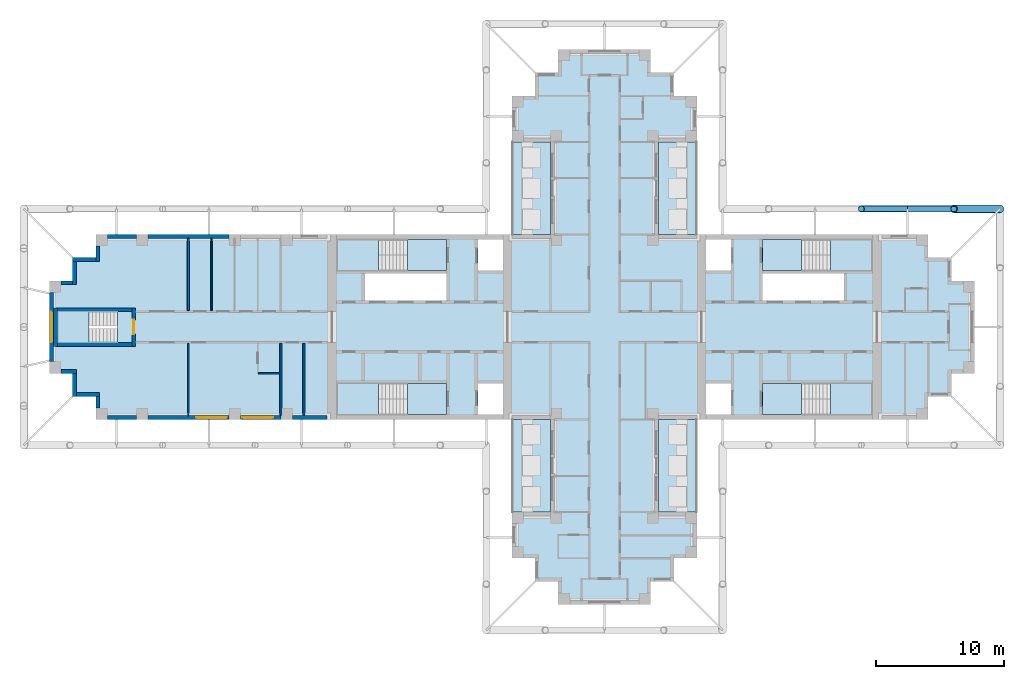
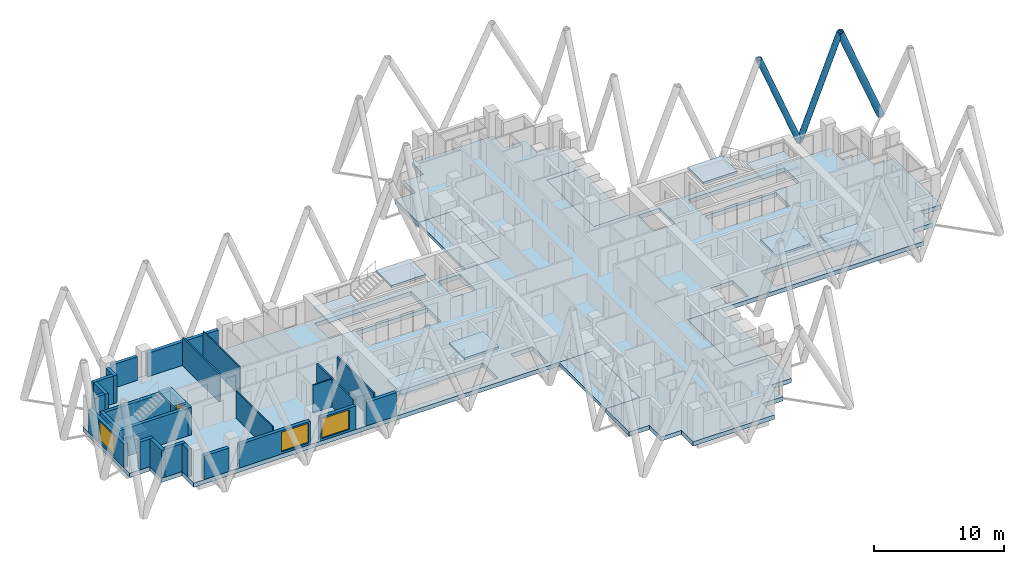
# One storey, part 2 of 12: 25 walls, 15 slabs, 3 members, 3 windows, 1 door, 4 openings, 5 elements without a shape of their own.
"""IFC4 building model written with IfcOpenShell, lengths in metres."""

from ifc_helpers import new_model, si_unit, direction, frame, frame_2d, origin, origin_2d, place, context, subcontext, project, spatial, polyline, rectangle, hollow_circle, outline, extrude, material, layer, layer_set, material_profile, profile_set, type_object, element, fill, aggregate, save


model = new_model("IFC4")

# Units and contexts
model_context = context("Model", 3, precision=1e-05, world=origin(), true_north=direction((0.0, 1.0)))
body_context = subcontext(model_context, "Body", "Model", "MODEL_VIEW")
ifc_project = project(units=[si_unit("LENGTHUNIT", "METRE"), si_unit("AREAUNIT", "SQUARE_METRE"), si_unit("VOLUMEUNIT", "CUBIC_METRE"), si_unit("PLANEANGLEUNIT", "RADIAN"), si_unit("MASSUNIT", "GRAM", prefix="KILO")], contexts=[model_context])

# Site, building, storey
site_placement = place(None, origin())
site = spatial("IfcSite", under=ifc_project, at=site_placement, CompositionType="ELEMENT")
building_placement = place(site_placement, origin())
building = spatial("IfcBuilding", under=site, at=building_placement, Name="Fustian Cross Tower", CompositionType="ELEMENT")
storey_placement = place(building_placement, frame((0.0, 0.0, 179.699951171875)))
storey = spatial("IfcBuildingStorey", under=building, at=storey_placement, Name="L56", CompositionType="ELEMENT", Elevation=179.699951171875)

# Members
ifc_material_1 = material(Name="Steel S355", Category="steel")
ifc_material_profile_1 = material_profile(ifc_material_1, hollow_circle(Radius=0.25390625, WallThickness=0.02001953125, at=origin_2d()), Name="CHS 508x20")
ifc_profile_set_1 = profile_set([ifc_material_profile_1], Name="Steel S355")
member_type_1 = type_object("IfcMemberType", Name="DIAGRID DIAGONAL CHS 508x20", PredefinedType="BRACE", material=ifc_profile_set_1)
for number, where, z_axis, x_axis, name in (
    (1, (23.60009765625, 9.199951171875, 0.0), (0.371377648723, 0.0, 0.928481901832), (0.0, 1.0, 0.0), "Diagrid diagonal E-N 02"),
    (2, (23.60009765625, 9.199951171875, 0.0), (-0.37139936132, 0.0, 0.928473216852), (0.0, -1.0, 0.0), "Diagrid diagonal E-N 03"),
):
    element("IfcMember", number, at=place(storey_placement, frame(where, z_axis=z_axis, x_axis=x_axis)), inside=storey, type_object=member_type_1, Name=name, PredefinedType="BRACE", context=body_context, shape_type="SweptSolid", body=[
        extrude(hollow_circle(Radius=0.25390625, WallThickness=0.02001953125, at=origin_2d()), origin(), (0.0, 0.0, 1.0), 9.693359375),
    ])
ifc_material_2 = material(Name="Steel S355", Category="steel")
ifc_material_profile_2 = material_profile(ifc_material_2, hollow_circle(Radius=0.3046875, WallThickness=0.02490234375, at=origin_2d()), Name="CHS 610x25")
ifc_profile_set_2 = profile_set([ifc_material_profile_2], Name="Steel S355")
member_type_2 = type_object("IfcMemberType", Name="DIAGRID DIAGONAL CHS 610x25", PredefinedType="BRACE", material=ifc_profile_set_2)
member_placement = place(storey_placement, frame((30.800048828125, 9.199951171875, 0.0), z_axis=(-0.37139936132, 0.0, 0.928473216852), x_axis=(0.0, -1.0, 0.0)))
element("IfcMember", 3, at=member_placement, inside=storey, type_object=member_type_2, Name="Diagrid diagonal E-N 01", PredefinedType="BRACE", context=body_context, shape_type="SweptSolid", body=[
    extrude(hollow_circle(Radius=0.3046875, WallThickness=0.02490234375, at=origin_2d()), origin(), (0.0, 0.0, 1.0), 9.693359375),
])

# Slabs
ifc_material_3 = material(Name="Concrete C40/50", Category="concrete")
ifc_layer_1 = layer(ifc_material_3, 0.300048828125)
ifc_layer_set_1 = layer_set([ifc_layer_1], Name="Concrete C40/50")
slab_type_1 = type_object("IfcSlabType", Name="BS1 BALCONY SLAB 300", PredefinedType="FLOOR", material=ifc_layer_set_1)
slab_1_placement = place(storey_placement, frame((0.0, 0.0, -0.300048828125)))
element("IfcSlab", 4, at=slab_1_placement, inside=storey, type_object=slab_type_1, Name="Balcony slab", PredefinedType="FLOOR", context=body_context, shape_type="SweptSolid", body=[
    extrude(outline(polyline([(4.199951171875, 7.199951171875), (7.199951171875, 7.199951171875), (7.199951171875, 14.39990234375), (4.199951171875, 14.39990234375), (4.199951171875, 7.199951171875)])), origin(), (0.0, 0.0, 1.0), 0.300048828125),
])
slab_2_placement = place(storey_placement, frame((0.0, 0.0, -0.300048828125)))
element("IfcSlab", 5, at=slab_2_placement, inside=storey, type_object=slab_type_1, Name="Balcony slab", PredefinedType="FLOOR", context=body_context, shape_type="SweptSolid", body=[
    extrude(outline(polyline([(-7.199951171875, 7.199951171875), (-4.199951171875, 7.199951171875), (-4.199951171875, 14.39990234375), (-7.199951171875, 14.39990234375), (-7.199951171875, 7.199951171875)])), origin(), (0.0, 0.0, 1.0), 0.300048828125),
])
slab_3_placement = place(storey_placement, frame((0.0, 0.0, -0.300048828125)))
element("IfcSlab", 6, at=slab_3_placement, inside=storey, type_object=slab_type_1, Name="Balcony slab", PredefinedType="FLOOR", context=body_context, shape_type="SweptSolid", body=[
    extrude(outline(polyline([(4.199951171875, -14.39990234375), (7.199951171875, -14.39990234375), (7.199951171875, -7.199951171875), (4.199951171875, -7.199951171875), (4.199951171875, -14.39990234375)])), origin(), (0.0, 0.0, 1.0), 0.300048828125),
])
slab_4_placement = place(storey_placement, frame((0.0, 0.0, -0.300048828125)))
element("IfcSlab", 7, at=slab_4_placement, inside=storey, type_object=slab_type_1, Name="Balcony slab", PredefinedType="FLOOR", context=body_context, shape_type="SweptSolid", body=[
    extrude(outline(polyline([(-7.199951171875, -14.39990234375), (-4.199951171875, -14.39990234375), (-4.199951171875, -7.199951171875), (-7.199951171875, -7.199951171875), (-7.199951171875, -14.39990234375)])), origin(), (0.0, 0.0, 1.0), 0.300048828125),
])
ifc_material_4 = material(Name="Concrete C40/50", Category="concrete")
ifc_layer_2 = layer(ifc_material_4, 0.39990234375)
ifc_layer_set_2 = layer_set([ifc_layer_2], Name="Concrete C40/50")
slab_type_2 = type_object("IfcSlabType", Name="FLAT SLAB 400", PredefinedType="FLOOR", material=ifc_layer_set_2)
slab_5_placement = place(storey_placement, frame((0.0, 0.0, -0.39990234375)))
element("IfcSlab", 8, at=slab_5_placement, inside=storey, type_object=slab_type_2, Name="FLOOR SLAB L56-1", PredefinedType="FLOOR", context=body_context, shape_type="SweptSolid", body=[
    extrude(outline(polyline([(-5.39990234375, -19.800048828125), (-5.39990234375, -18.0), (-7.199951171875, -18.0), (-7.199951171875, -14.39990234375), (-4.199951171875, -14.39990234375), (-4.199951171875, -7.199951171875), (-39.60009765625, -7.199951171875), (-39.60009765625, -5.39990234375), (-41.39990234375, -5.39990234375), (-41.39990234375, -3.60009765625), (-43.199951171875, -3.60009765625), (-43.199951171875, 3.60009765625), (-41.39990234375, 3.60009765625), (-41.39990234375, 5.39990234375), (-39.60009765625, 5.39990234375), (-39.60009765625, 7.199951171875), (-4.199951171875, 7.199951171875), (-4.199951171875, 14.39990234375), (-7.199951171875, 14.39990234375), (-7.199951171875, 18.0), (-5.39990234375, 18.0), (-5.39990234375, 19.800048828125), (-3.60009765625, 19.800048828125), (-3.60009765625, 21.60009765625), (3.60009765625, 21.60009765625), (3.60009765625, 19.800048828125), (5.39990234375, 19.800048828125), (5.39990234375, 18.0), (7.199951171875, 18.0), (7.199951171875, 14.39990234375), (4.199951171875, 14.39990234375), (4.199951171875, 7.199951171875), (25.199951171875, 7.199951171875), (25.199951171875, 5.39990234375), (27.0, 5.39990234375), (27.0, 3.60009765625), (28.800048828125, 3.60009765625), (28.800048828125, -3.60009765625), (27.0, -3.60009765625), (27.0, -5.39990234375), (25.199951171875, -5.39990234375), (25.199951171875, -7.199951171875), (4.199951171875, -7.199951171875), (4.199951171875, -14.39990234375), (7.199951171875, -14.39990234375), (7.199951171875, -18.0), (5.39990234375, -18.0), (5.39990234375, -19.800048828125), (3.60009765625, -19.800048828125), (3.60009765625, -21.60009765625), (-3.60009765625, -21.60009765625), (-3.60009765625, -19.800048828125), (-5.39990234375, -19.800048828125)]), holes=[polyline([(7.89990234375, 4.39990234375), (9.85009765625, 4.39990234375), (9.85009765625, 6.800048828125), (7.89990234375, 6.800048828125), (7.89990234375, 4.39990234375)]), polyline([(7.89990234375, -4.39990234375), (7.89990234375, -6.800048828125), (9.85009765625, -6.800048828125), (9.85009765625, -4.39990234375), (7.89990234375, -4.39990234375)]), polyline([(-7.89990234375, 6.800048828125), (-9.85009765625, 6.800048828125), (-9.85009765625, 4.39990234375), (-7.89990234375, 4.39990234375), (-7.89990234375, 6.800048828125)]), polyline([(-7.89990234375, -6.800048828125), (-7.89990234375, -4.39990234375), (-9.85009765625, -4.39990234375), (-9.85009765625, -6.800048828125), (-7.89990234375, -6.800048828125)]), polyline([(12.300048828125, 2.050048828125), (18.64990234375, 2.050048828125), (18.64990234375, 4.14990234375), (12.300048828125, 4.14990234375), (12.300048828125, 2.050048828125)]), polyline([(-18.64990234375, 4.14990234375), (-18.64990234375, 2.050048828125), (-12.300048828125, 2.050048828125), (-12.300048828125, 4.14990234375), (-18.64990234375, 4.14990234375)]), polyline([(20.85009765625, 6.699951171875), (12.300048828125, 6.699951171875), (12.300048828125, 4.39990234375), (20.85009765625, 4.39990234375), (20.85009765625, 6.699951171875)]), polyline([(20.85009765625, -6.699951171875), (20.85009765625, -4.39990234375), (12.300048828125, -4.39990234375), (12.300048828125, -6.699951171875), (20.85009765625, -6.699951171875)]), polyline([(-20.85009765625, 4.39990234375), (-12.300048828125, 4.39990234375), (-12.300048828125, 6.699951171875), (-20.85009765625, 6.699951171875), (-20.85009765625, 4.39990234375)]), polyline([(-20.85009765625, -4.39990234375), (-20.85009765625, -6.699951171875), (-12.300048828125, -6.699951171875), (-12.300048828125, -4.39990234375), (-20.85009765625, -4.39990234375)]), polyline([(-36.800048828125, 1.199951171875), (-42.60009765625, 1.199951171875), (-42.60009765625, -1.199951171875), (-36.800048828125, -1.199951171875), (-36.800048828125, 1.199951171875)])]), origin(), (0.0, 0.0, 1.0), 0.39990234375),
])

# Stair, slabs
ifc_material_5 = material(Name="Concrete C50/60", Category="concrete")
stair_type_1 = type_object("IfcStairType", Name="STAIR 1200 HALF TURN", PredefinedType="HALF_TURN_STAIR", material=ifc_material_5)
stair_1_placement = place(storey_placement, origin())
stair_1 = element("IfcStair", 9, at=stair_1_placement, inside=storey, type_object=stair_type_1, Name="Stair ST1", PredefinedType="HALF_TURN_STAIR")
ifc_material_6 = material(Name="Concrete C50/60", Category="concrete")
ifc_layer_3 = layer(ifc_material_6, 0.199951171875)
ifc_layer_set_3 = layer_set([ifc_layer_3], Name="Concrete C50/60")
slab_type_3 = type_object("IfcSlabType", Name="STAIR LANDING", PredefinedType="LANDING", material=ifc_layer_set_3)
slab_6_placement = place(storey_placement, frame((0.0, 0.0, 1.300048828125)))
slab_6 = element("IfcSlab", 10, at=slab_6_placement, type_object=slab_type_3, Name="ST1 landing 1", PredefinedType="LANDING", context=body_context, shape_type="SweptSolid", body=[
    extrude(outline(polyline([(17.590087890625, 4.39990234375), (20.85009765625, 4.39990234375), (20.85009765625, 6.800048828125), (17.590087890625, 6.800048828125), (17.590087890625, 4.39990234375)])), origin(), (0.0, 0.0, 1.0), 0.199951171875),
])
slab_7_placement = place(storey_placement, frame((0.0, 0.0, 2.800048828125)))
slab_7 = element("IfcSlab", 11, at=slab_7_placement, type_object=slab_type_3, Name="ST1 landing 2", PredefinedType="LANDING", context=body_context, shape_type="SweptSolid", body=[
    extrude(outline(polyline([(12.300048828125, 4.39990234375), (15.35009765625, 4.39990234375), (15.35009765625, 6.800048828125), (12.300048828125, 6.800048828125), (12.300048828125, 4.39990234375)])), origin(), (0.0, 0.0, 1.0), 0.199951171875),
])
aggregate(stair_1, [slab_6, slab_7])

stair_2_placement = place(storey_placement, origin())
stair_2 = element("IfcStair", 12, at=stair_2_placement, inside=storey, type_object=stair_type_1, Name="Stair ST2", PredefinedType="HALF_TURN_STAIR")
slab_8_placement = place(storey_placement, frame((0.0, 0.0, 1.300048828125)))
slab_8 = element("IfcSlab", 13, at=slab_8_placement, type_object=slab_type_3, Name="ST2 landing 1", PredefinedType="LANDING", context=body_context, shape_type="SweptSolid", body=[
    extrude(outline(polyline([(17.590087890625, -4.39990234375), (20.85009765625, -4.39990234375), (20.85009765625, -6.800048828125), (17.590087890625, -6.800048828125), (17.590087890625, -4.39990234375)])), origin(), (0.0, 0.0, 1.0), 0.199951171875),
])
slab_9_placement = place(storey_placement, frame((0.0, 0.0, 2.800048828125)))
slab_9 = element("IfcSlab", 14, at=slab_9_placement, type_object=slab_type_3, Name="ST2 landing 2", PredefinedType="LANDING", context=body_context, shape_type="SweptSolid", body=[
    extrude(outline(polyline([(12.300048828125, -4.39990234375), (15.35009765625, -4.39990234375), (15.35009765625, -6.800048828125), (12.300048828125, -6.800048828125), (12.300048828125, -4.39990234375)])), origin(), (0.0, 0.0, 1.0), 0.199951171875),
])
aggregate(stair_2, [slab_8, slab_9])

stair_3_placement = place(storey_placement, origin())
stair_3 = element("IfcStair", 15, at=stair_3_placement, inside=storey, type_object=stair_type_1, Name="Stair ST3", PredefinedType="HALF_TURN_STAIR")
slab_10_placement = place(storey_placement, frame((0.0, 0.0, 1.300048828125)))
slab_10 = element("IfcSlab", 16, at=slab_10_placement, type_object=slab_type_3, Name="ST3 landing 1", PredefinedType="LANDING", context=body_context, shape_type="SweptSolid", body=[
    extrude(outline(polyline([(-17.590087890625, 4.39990234375), (-20.85009765625, 4.39990234375), (-20.85009765625, 6.800048828125), (-17.590087890625, 6.800048828125), (-17.590087890625, 4.39990234375)])), origin(), (0.0, 0.0, 1.0), 0.199951171875),
])
slab_11_placement = place(storey_placement, frame((0.0, 0.0, 2.800048828125)))
slab_11 = element("IfcSlab", 17, at=slab_11_placement, type_object=slab_type_3, Name="ST3 landing 2", PredefinedType="LANDING", context=body_context, shape_type="SweptSolid", body=[
    extrude(outline(polyline([(-12.300048828125, 4.39990234375), (-15.35009765625, 4.39990234375), (-15.35009765625, 6.800048828125), (-12.300048828125, 6.800048828125), (-12.300048828125, 4.39990234375)])), origin(), (0.0, 0.0, 1.0), 0.199951171875),
])
aggregate(stair_3, [slab_10, slab_11])

stair_4_placement = place(storey_placement, origin())
stair_4 = element("IfcStair", 18, at=stair_4_placement, inside=storey, type_object=stair_type_1, Name="Stair ST4", PredefinedType="HALF_TURN_STAIR")
slab_12_placement = place(storey_placement, frame((0.0, 0.0, 1.300048828125)))
slab_12 = element("IfcSlab", 19, at=slab_12_placement, type_object=slab_type_3, Name="ST4 landing 1", PredefinedType="LANDING", context=body_context, shape_type="SweptSolid", body=[
    extrude(outline(polyline([(-17.590087890625, -4.39990234375), (-20.85009765625, -4.39990234375), (-20.85009765625, -6.800048828125), (-17.590087890625, -6.800048828125), (-17.590087890625, -4.39990234375)])), origin(), (0.0, 0.0, 1.0), 0.199951171875),
])
slab_13_placement = place(storey_placement, frame((0.0, 0.0, 2.800048828125)))
slab_13 = element("IfcSlab", 20, at=slab_13_placement, type_object=slab_type_3, Name="ST4 landing 2", PredefinedType="LANDING", context=body_context, shape_type="SweptSolid", body=[
    extrude(outline(polyline([(-12.300048828125, -4.39990234375), (-15.35009765625, -4.39990234375), (-15.35009765625, -6.800048828125), (-12.300048828125, -6.800048828125), (-12.300048828125, -4.39990234375)])), origin(), (0.0, 0.0, 1.0), 0.199951171875),
])
aggregate(stair_4, [slab_12, slab_13])

ifc_material_7 = material(Name="Concrete C50/60", Category="concrete")
stair_type_2 = type_object("IfcStairType", Name="STAIR 1100 HALF TURN", PredefinedType="HALF_TURN_STAIR", material=ifc_material_7)
stair_5_placement = place(storey_placement, origin())
stair_5 = element("IfcStair", 21, at=stair_5_placement, inside=storey, type_object=stair_type_2, Name="Stair ST9", PredefinedType="HALF_TURN_STAIR")
slab_14_placement = place(storey_placement, frame((0.0, 0.0, 1.300048828125)))
slab_14 = element("IfcSlab", 22, at=slab_14_placement, type_object=slab_type_3, Name="ST9 landing 1", PredefinedType="LANDING", context=body_context, shape_type="SweptSolid", body=[
    extrude(outline(polyline([(-40.139892578125, -1.199951171875), (-42.60009765625, -1.199951171875), (-42.60009765625, 1.199951171875), (-40.139892578125, 1.199951171875), (-40.139892578125, -1.199951171875)])), origin(), (0.0, 0.0, 1.0), 0.199951171875),
])
slab_15_placement = place(storey_placement, frame((0.0, 0.0, 2.800048828125)))
slab_15 = element("IfcSlab", 23, at=slab_15_placement, type_object=slab_type_3, Name="ST9 landing 2", PredefinedType="LANDING", context=body_context, shape_type="SweptSolid", body=[
    extrude(outline(polyline([(-36.800048828125, -1.199951171875), (-37.89990234375, -1.199951171875), (-37.89990234375, 1.199951171875), (-36.800048828125, 1.199951171875), (-36.800048828125, -1.199951171875)])), origin(), (0.0, 0.0, 1.0), 0.199951171875),
])
aggregate(stair_5, [slab_14, slab_15])

# Walls
ifc_material_8 = material(Name="Plasterboard on steel stud", Category="steel")
ifc_layer_4 = layer(ifc_material_8, 0.14990234375)
ifc_layer_set_4 = layer_set([ifc_layer_4], Name="Plasterboard on steel stud")
wall_type_1 = type_object("IfcWallType", Name="COMPARTMENT WALL 150 EI 60", PredefinedType="PARTITIONING", material=ifc_layer_set_4)
for number, where, z_axis, x_axis, name in (
    (24, (-32.39990234375, 1.27490234375, 0.0), (0.0, 0.0, 1.0), (0.0, 1.0, 0.0), "Partition 4"),
    (25, (-25.199951171875, -6.89990234375, 0.0), (0.0, 0.0, 1.0), (0.0, 1.0, 0.0), "Partition 10"),
    (26, (-23.39990234375, -6.89990234375, 0.0), (0.0, 0.0, 1.0), (0.0, 1.0, 0.0), "Partition 12"),
):
    element("IfcWall", number, at=place(storey_placement, frame(where, z_axis=z_axis, x_axis=x_axis)), inside=storey, type_object=wall_type_1, Name=name, PredefinedType="PARTITIONING", context=body_context, shape_type="SweptSolid", body=[
        extrude(rectangle(XDim=5.625, YDim=0.14990234375, at=frame_2d((2.8125, 0.0))), origin(), (0.0, 0.0, 1.0), 2.60009765625),
    ])
ifc_material_9 = material(Name="Plasterboard on steel stud", Category="steel")
ifc_layer_5 = layer(ifc_material_9, 0.10009765625)
ifc_layer_set_5 = layer_set([ifc_layer_5], Name="Plasterboard on steel stud")
wall_type_2 = type_object("IfcWallType", Name="PARTITION 100 STUD", PredefinedType="PARTITIONING", material=ifc_layer_set_5)
for number, where, z_axis, x_axis, name in (
    (27, (-32.39990234375, -6.89990234375, 0.0), (0.0, 0.0, 1.0), (0.0, 1.0, 0.0), "Partition 3"),
    (28, (-30.60009765625, 1.27490234375, 0.0), (0.0, 0.0, 1.0), (0.0, 1.0, 0.0), "Partition 5"),
):
    element("IfcWall", number, at=place(storey_placement, frame(where, z_axis=z_axis, x_axis=x_axis)), inside=storey, type_object=wall_type_2, Name=name, PredefinedType="PARTITIONING", context=body_context, shape_type="SweptSolid", body=[
        extrude(rectangle(XDim=5.625, YDim=0.10009765625, at=frame_2d((2.8125, 0.0))), origin(), (0.0, 0.0, 1.0), 2.60009765625),
    ])
wall_1_placement = place(storey_placement, frame((-26.949951171875, -3.60009765625, 0.0), z_axis=(0.0, 0.0, 1.0), x_axis=(1.0, 0.0, 0.0)))
element("IfcWall", 29, at=wall_1_placement, inside=storey, type_object=wall_type_2, Name="Partition 8", PredefinedType="PARTITIONING", context=body_context, shape_type="SweptSolid", body=[
    extrude(rectangle(XDim=1.675048828125, YDim=0.10009765625, at=frame_2d((0.83740234375, 0.0))), origin(), (0.0, 0.0, 1.0), 2.60009765625),
])

# Wall, opening, door
ifc_material_10 = material(Name="Concrete C50/60", Category="concrete")
ifc_layer_6 = layer(ifc_material_10, 0.300048828125)
ifc_layer_set_6 = layer_set([ifc_layer_6], Name="Concrete C50/60")
wall_type_3 = type_object("IfcWallType", Name="STAIR ENCLOSURE WALL 300 C50/60", PredefinedType="SHEAR", material=ifc_layer_set_6)
wall_2_placement = place(storey_placement, frame((-36.64990234375, -1.5, 0.0), z_axis=(0.0, 0.0, 1.0), x_axis=(0.0, 1.0, 0.0)))
wall_2 = element("IfcWall", 30, at=wall_2_placement, inside=storey, type_object=wall_type_3, Name="Stair enclosure wall", PredefinedType="SHEAR", context=body_context, shape_type="SweptSolid", body=[
    extrude(rectangle(XDim=3.0, YDim=0.300048828125, at=frame_2d((1.5, 0.0))), origin(), (0.0, 0.0, 1.0), 2.60009765625),
])
opening_1_placement = place(wall_2_placement, frame((0.949951171875, 0.0, 0.0)))
opening_1 = element("IfcOpeningElement", 31, at=opening_1_placement, cuts=wall_2, Name="Opening CD-23-35", PredefinedType="OPENING", context=body_context, shape_type="SweptSolid", body=[
    extrude(rectangle(XDim=1.10009765625, YDim=2.10009765625, at=frame_2d((0.550048828125, 1.050048828125))), frame((0.0, 0.159912109375, 0.0), z_axis=(0.0, -1.0, 0.0), x_axis=(1.0, 0.0, 0.0)), (0.0, 0.0, 1.0), 0.320068359375),
])
ifc_material_11 = material(Name="Steel", Category="steel")
door_type = type_object("IfcDoorType", Name="FIRE DOOR FD60S 1100X2100", OperationType="SINGLE_SWING_LEFT", PredefinedType="DOOR", material=ifc_material_11)
door_placement = place(opening_1_placement, origin())
door = element("IfcDoor", 32, at=door_placement, inside=storey, type_object=door_type, Name="Core door CD-23-35", OperationType="SINGLE_SWING_LEFT", OverallHeight=2.10009765625, OverallWidth=1.10009765625, PredefinedType="DOOR", context=body_context, shape_type="SweptSolid", body=[
    extrude(rectangle(XDim=1.10009765625, YDim=2.10009765625, at=frame_2d((0.550048828125, 1.050048828125))), frame((0.0, 0.02490234375, 0.0), z_axis=(0.0, -1.0, 0.0), x_axis=(1.0, 0.0, 0.0)), (0.0, 0.0, 1.0), 0.050048828125),
])
fill(opening_1, door)

# Walls
wall_3_placement = place(storey_placement, frame((-42.75, -1.5, 0.0), z_axis=(0.0, 0.0, 1.0), x_axis=(0.0, 1.0, 0.0)))
element("IfcWall", 33, at=wall_3_placement, inside=storey, type_object=wall_type_3, Name="Stair enclosure wall", PredefinedType="SHEAR", context=body_context, shape_type="SweptSolid", body=[
    extrude(rectangle(XDim=3.0, YDim=0.300048828125, at=frame_2d((1.5, 0.0))), origin(), (0.0, 0.0, 1.0), 2.60009765625),
])
for number, where, z_axis, x_axis, name in (
    (34, (-36.800048828125, -1.35009765625, 0.0), (0.0, 0.0, 1.0), (-1.0, 0.0, 0.0), "Stair enclosure wall"),
    (35, (-36.800048828125, 1.35009765625, 0.0), (0.0, 0.0, 1.0), (-1.0, 0.0, 0.0), "Stair enclosure wall"),
):
    element("IfcWall", number, at=place(storey_placement, frame(where, z_axis=z_axis, x_axis=x_axis)), inside=storey, type_object=wall_type_3, Name=name, PredefinedType="SHEAR", context=body_context, shape_type="SweptSolid", body=[
        extrude(rectangle(XDim=5.800048828125, YDim=0.300048828125, at=frame_2d((2.89990234375, 0.0))), origin(), (0.0, 0.0, 1.0), 2.60009765625),
    ])
ifc_material_12 = material(Name="Dark aluminium cladding on insulated backing wall", Category="aluminium")
ifc_layer_7 = layer(ifc_material_12, 0.300048828125)
ifc_layer_set_7 = layer_set([ifc_layer_7], Name="Dark aluminium cladding on insulated backing wall")
wall_type_4 = type_object("IfcWallType", Name="XW1 EXTERNAL WALL 300", PredefinedType="SOLIDWALL", material=ifc_layer_set_7)
wall_4_placement = place(storey_placement, frame((-29.25, 7.050048828125, 0.0), z_axis=(0.0, 0.0, 1.0), x_axis=(-1.0, 0.0, 0.0)))
element("IfcWall", 36, at=wall_4_placement, inside=storey, type_object=wall_type_4, Name="External wall", PredefinedType="SOLIDWALL", context=body_context, shape_type="SweptSolid", body=[
    extrude(rectangle(XDim=6.300048828125, YDim=0.300048828125, at=frame_2d((3.14990234375, 0.0))), origin(), (0.0, 0.0, 1.0), 2.199951171875),
])
wall_5_placement = place(storey_placement, frame((-36.449951171875, 7.050048828125, 0.0), z_axis=(0.0, 0.0, 1.0), x_axis=(-1.0, 0.0, 0.0)))
element("IfcWall", 37, at=wall_5_placement, inside=storey, type_object=wall_type_4, Name="External wall", PredefinedType="SOLIDWALL", context=body_context, shape_type="SweptSolid", body=[
    extrude(rectangle(XDim=2.25, YDim=0.300048828125, at=frame_2d((1.125, 0.0))), origin(), (0.0, 0.0, 1.0), 2.199951171875),
])
wall_6_placement = place(storey_placement, frame((-39.449951171875, 6.300048828125, 0.0), z_axis=(0.0, 0.0, 1.0), x_axis=(0.0, -1.0, 0.0)))
element("IfcWall", 38, at=wall_6_placement, inside=storey, type_object=wall_type_4, Name="External wall", PredefinedType="SOLIDWALL", context=body_context, shape_type="SweptSolid", body=[
    extrude(rectangle(XDim=1.199951171875, YDim=0.300048828125, at=frame_2d((0.60009765625, 0.0))), origin(), (0.0, 0.0, 1.0), 2.60009765625),
])
wall_7_placement = place(storey_placement, frame((-39.60009765625, 5.25, 0.0), z_axis=(0.0, 0.0, 1.0), x_axis=(-1.0, 0.0, 0.0)))
element("IfcWall", 39, at=wall_7_placement, inside=storey, type_object=wall_type_4, Name="External wall", PredefinedType="SOLIDWALL", context=body_context, shape_type="SweptSolid", body=[
    extrude(rectangle(XDim=1.7998046875, YDim=0.300048828125, at=frame_2d((0.89990234375, 0.0))), origin(), (0.0, 0.0, 1.0), 2.60009765625),
])
wall_8_placement = place(storey_placement, frame((-41.25, 5.10009765625, 0.0), z_axis=(0.0, 0.0, 1.0), x_axis=(0.0, -1.0, 0.0)))
element("IfcWall", 40, at=wall_8_placement, inside=storey, type_object=wall_type_4, Name="External wall", PredefinedType="SOLIDWALL", context=body_context, shape_type="SweptSolid", body=[
    extrude(rectangle(XDim=1.800048828125, YDim=0.300048828125, at=frame_2d((0.89990234375, 0.0))), origin(), (0.0, 0.0, 1.0), 2.60009765625),
])
wall_9_placement = place(storey_placement, frame((-41.39990234375, 3.449951171875, 0.0), z_axis=(0.0, 0.0, 1.0), x_axis=(-1.0, 0.0, 0.0)))
element("IfcWall", 41, at=wall_9_placement, inside=storey, type_object=wall_type_4, Name="External wall", PredefinedType="SOLIDWALL", context=body_context, shape_type="SweptSolid", body=[
    extrude(rectangle(XDim=0.900146484375, YDim=0.300048828125, at=frame_2d((0.4501953125, 0.0))), origin(), (0.0, 0.0, 1.0), 2.60009765625),
])

# Wall, opening, window
wall_10_placement = place(storey_placement, frame((-43.050048828125, 2.699951171875, 0.0), z_axis=(0.0, 0.0, 1.0), x_axis=(0.0, -1.0, 0.0)))
wall_10 = element("IfcWall", 42, at=wall_10_placement, inside=storey, type_object=wall_type_4, Name="External wall", PredefinedType="SOLIDWALL", context=body_context, shape_type="SweptSolid", body=[
    extrude(rectangle(XDim=5.39990234375, YDim=0.300048828125, at=frame_2d((2.699951171875, 0.0))), origin(), (0.0, 0.0, 1.0), 2.199951171875),
])
opening_2_placement = place(wall_10_placement, frame((1.5, 0.0, 0.199951171875)))
opening_2 = element("IfcOpeningElement", 43, at=opening_2_placement, cuts=wall_10, Name="Opening WN1", PredefinedType="OPENING", context=body_context, shape_type="SweptSolid", body=[
    extrude(rectangle(XDim=2.39990234375, YDim=1.85009765625, at=frame_2d((1.199951171875, 0.925048828125))), frame((0.0, 0.159912109375, 0.0), z_axis=(0.0, -1.0, 0.0), x_axis=(1.0, 0.0, 0.0)), (0.0, 0.0, 1.0), 0.320068359375),
])
ifc_material_13 = material(Name="Dark anodised aluminium and double glazing", Category="aluminium")
window_type = type_object("IfcWindowType", Name="WN1 WINDOW 2400X1850", PartitioningType="SINGLE_PANEL", PredefinedType="WINDOW", material=ifc_material_13)
window_1_placement = place(opening_2_placement, origin())
window_1 = element("IfcWindow", 44, at=window_1_placement, inside=storey, type_object=window_type, Name="Window", OverallHeight=1.85009765625, OverallWidth=2.39990234375, PartitioningType="SINGLE_PANEL", PredefinedType="WINDOW", context=body_context, shape_type="SweptSolid", body=[
    extrude(rectangle(XDim=2.39990234375, YDim=1.85009765625, at=frame_2d((1.199951171875, 0.925048828125))), frame((0.0, 0.030029296875, 0.0), z_axis=(0.0, -1.0, 0.0), x_axis=(1.0, 0.0, 0.0)), (0.0, 0.0, 1.0), 0.06005859375),
])
fill(opening_2, window_1)

# Walls
wall_11_placement = place(storey_placement, frame((-42.300048828125, -3.449951171875, 0.0), z_axis=(0.0, 0.0, 1.0), x_axis=(1.0, 0.0, 0.0)))
element("IfcWall", 45, at=wall_11_placement, inside=storey, type_object=wall_type_4, Name="External wall", PredefinedType="SOLIDWALL", context=body_context, shape_type="SweptSolid", body=[
    extrude(rectangle(XDim=1.199951171875, YDim=0.300048828125, at=frame_2d((0.60009765625, 0.0))), origin(), (0.0, 0.0, 1.0), 2.60009765625),
])
wall_12_placement = place(storey_placement, frame((-41.25, -3.60009765625, 0.0), z_axis=(0.0, 0.0, 1.0), x_axis=(0.0, -1.0, 0.0)))
element("IfcWall", 46, at=wall_12_placement, inside=storey, type_object=wall_type_4, Name="External wall", PredefinedType="SOLIDWALL", context=body_context, shape_type="SweptSolid", body=[
    extrude(rectangle(XDim=1.7998046875, YDim=0.300048828125, at=frame_2d((0.89990234375, 0.0))), origin(), (0.0, 0.0, 1.0), 2.60009765625),
])
wall_13_placement = place(storey_placement, frame((-41.10009765625, -5.25, 0.0), z_axis=(0.0, 0.0, 1.0), x_axis=(1.0, 0.0, 0.0)))
element("IfcWall", 47, at=wall_13_placement, inside=storey, type_object=wall_type_4, Name="External wall", PredefinedType="SOLIDWALL", context=body_context, shape_type="SweptSolid", body=[
    extrude(rectangle(XDim=1.800048828125, YDim=0.300048828125, at=frame_2d((0.89990234375, 0.0))), origin(), (0.0, 0.0, 1.0), 2.60009765625),
])
wall_14_placement = place(storey_placement, frame((-39.449951171875, -5.39990234375, 0.0), z_axis=(0.0, 0.0, 1.0), x_axis=(0.0, -1.0, 0.0)))
element("IfcWall", 48, at=wall_14_placement, inside=storey, type_object=wall_type_4, Name="External wall", PredefinedType="SOLIDWALL", context=body_context, shape_type="SweptSolid", body=[
    extrude(rectangle(XDim=0.900146484375, YDim=0.300048828125, at=frame_2d((0.4501953125, 0.0))), origin(), (0.0, 0.0, 1.0), 2.60009765625),
])
wall_15_placement = place(storey_placement, frame((-38.699951171875, -7.050048828125, 0.0), z_axis=(0.0, 0.0, 1.0), x_axis=(1.0, 0.0, 0.0)))
element("IfcWall", 49, at=wall_15_placement, inside=storey, type_object=wall_type_4, Name="External wall", PredefinedType="SOLIDWALL", context=body_context, shape_type="SweptSolid", body=[
    extrude(rectangle(XDim=2.25, YDim=0.300048828125, at=frame_2d((1.125, 0.0))), origin(), (0.0, 0.0, 1.0), 2.199951171875),
])

# Wall, opening, window
wall_16_placement = place(storey_placement, frame((-35.550048828125, -7.050048828125, 0.0), z_axis=(0.0, 0.0, 1.0), x_axis=(1.0, 0.0, 0.0)))
wall_16 = element("IfcWall", 50, at=wall_16_placement, inside=storey, type_object=wall_type_4, Name="External wall", PredefinedType="SOLIDWALL", context=body_context, shape_type="SweptSolid", body=[
    extrude(rectangle(XDim=6.300048828125, YDim=0.300048828125, at=frame_2d((3.14990234375, 0.0))), origin(), (0.0, 0.0, 1.0), 2.199951171875),
])
opening_3_placement = place(wall_16_placement, frame((3.75, 0.0, 0.199951171875)))
opening_3 = element("IfcOpeningElement", 51, at=opening_3_placement, cuts=wall_16, Name="Opening WN1", PredefinedType="OPENING", context=body_context, shape_type="SweptSolid", body=[
    extrude(rectangle(XDim=2.39990234375, YDim=1.85009765625, at=frame_2d((1.199951171875, 0.925048828125))), frame((0.0, 0.159912109375, 0.0), z_axis=(0.0, -1.0, 0.0), x_axis=(1.0, 0.0, 0.0)), (0.0, 0.0, 1.0), 0.320068359375),
])
window_2_placement = place(opening_3_placement, origin())
window_2 = element("IfcWindow", 52, at=window_2_placement, inside=storey, type_object=window_type, Name="Window", OverallHeight=1.85009765625, OverallWidth=2.39990234375, PartitioningType="SINGLE_PANEL", PredefinedType="WINDOW", context=body_context, shape_type="SweptSolid", body=[
    extrude(rectangle(XDim=2.39990234375, YDim=1.85009765625, at=frame_2d((1.199951171875, 0.925048828125))), frame((0.0, 0.030029296875, 0.0), z_axis=(0.0, -1.0, 0.0), x_axis=(1.0, 0.0, 0.0)), (0.0, 0.0, 1.0), 0.06005859375),
])
fill(opening_3, window_2)

wall_17_placement = place(storey_placement, frame((-28.35009765625, -7.050048828125, 0.0), z_axis=(0.0, 0.0, 1.0), x_axis=(1.0, 0.0, 0.0)))
wall_17 = element("IfcWall", 53, at=wall_17_placement, inside=storey, type_object=wall_type_4, Name="External wall", PredefinedType="SOLIDWALL", context=body_context, shape_type="SweptSolid", body=[
    extrude(rectangle(XDim=3.150146484375, YDim=0.300048828125, at=frame_2d((1.5751953125, 0.0))), origin(), (0.0, 0.0, 1.0), 2.199951171875),
])
opening_4_placement = place(wall_17_placement, frame((0.14990234375, 0.0, 0.199951171875)))
opening_4 = element("IfcOpeningElement", 54, at=opening_4_placement, cuts=wall_17, Name="Opening WN1", PredefinedType="OPENING", context=body_context, shape_type="SweptSolid", body=[
    extrude(rectangle(XDim=2.39990234375, YDim=1.85009765625, at=frame_2d((1.199951171875, 0.925048828125))), frame((0.0, 0.159912109375, 0.0), z_axis=(0.0, -1.0, 0.0), x_axis=(1.0, 0.0, 0.0)), (0.0, 0.0, 1.0), 0.320068359375),
])
window_3_placement = place(opening_4_placement, origin())
window_3 = element("IfcWindow", 55, at=window_3_placement, inside=storey, type_object=window_type, Name="Window", OverallHeight=1.85009765625, OverallWidth=2.39990234375, PartitioningType="SINGLE_PANEL", PredefinedType="WINDOW", context=body_context, shape_type="SweptSolid", body=[
    extrude(rectangle(XDim=2.39990234375, YDim=1.85009765625, at=frame_2d((1.199951171875, 0.925048828125))), frame((0.0, 0.030029296875, 0.0), z_axis=(0.0, -1.0, 0.0), x_axis=(1.0, 0.0, 0.0)), (0.0, 0.0, 1.0), 0.06005859375),
])
fill(opening_4, window_3)

# Wall
wall_18_placement = place(storey_placement, frame((-24.300048828125, -7.050048828125, 0.0), z_axis=(0.0, 0.0, 1.0), x_axis=(1.0, 0.0, 0.0)))
element("IfcWall", 56, at=wall_18_placement, inside=storey, type_object=wall_type_4, Name="External wall", PredefinedType="SOLIDWALL", context=body_context, shape_type="SweptSolid", body=[
    extrude(rectangle(XDim=2.699951171875, YDim=0.300048828125, at=frame_2d((1.35009765625, 0.0))), origin(), (0.0, 0.0, 1.0), 2.199951171875),
])

save(model, "model.ifc")
